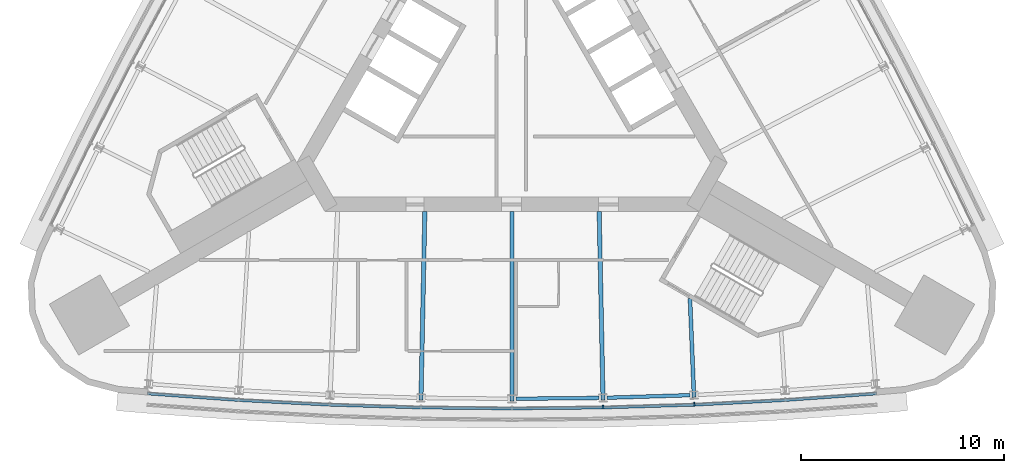
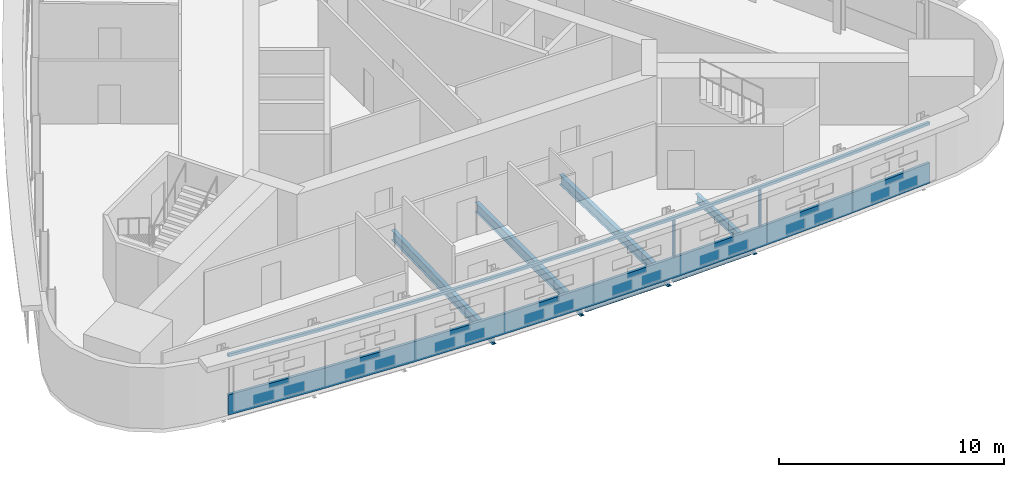
# One storey, part 3 of 13: 6 beams, 4 members, 1 element without a shape of its own.
"""IFC4 building model written with IfcOpenShell, lengths in metres."""

import ifcopenshell
import ifcopenshell.guid

model = None  # the IFC model being written
_history = None  # IfcOwnerHistory: only IFC2X3 demands one
_inside = {}  # id of a spatial element -> (the spatial element, [elements in it])
_under = {}  # id of a project, library or spatial element -> (it, [spatial elements below it])
_declared = {}  # id of a project -> (the project, [libraries it declares])
_typed = {}  # id of a type object -> (the type object, [elements of that type])
_made_of = {}  # id of a material, layer set ... -> (it, [elements and type objects made of it])


def new_model(schema):
    """Start an empty IFC model of exactly this schema.

    Asked for "IFC4X3", IfcOpenShell would pick the latest addendum, in which some entities
    have other attributes; the version numbers below select the first issue.
    IFC2X3 requires an IfcOwnerHistory on every rooted entity: one is made here for all.
    """
    global model, _history
    if schema == "IFC4X3":
        model = ifcopenshell.file(schema_version=(4, 3, 0, 0))
    else:
        model = ifcopenshell.file(schema=schema)
    _inside.clear()
    _under.clear()
    _declared.clear()
    _typed.clear()
    _made_of.clear()
    _history = None
    if model.schema == "IFC2X3":
        org = make("IfcOrganization", Name="unknown")
        user = make(
            "IfcPersonAndOrganization",
            ThePerson=make("IfcPerson", FamilyName="unknown"),
            TheOrganization=org,
        )
        app = make(
            "IfcApplication",
            ApplicationDeveloper=org,
            Version="unknown",
            ApplicationFullName="unknown",
            ApplicationIdentifier="unknown",
        )
        _history = make(
            "IfcOwnerHistory",
            OwningUser=user,
            OwningApplication=app,
            ChangeAction="ADDED",
            CreationDate=0,
        )
    return model


def make(cls, **values):
    """One entity of the class cls with the attributes given. An attribute that is None is left unset."""
    return model.create_entity(
        cls, **{name: value for name, value in values.items() if value is not None}
    )


def rooted(cls, **values):
    """An entity with a GlobalId (a new one), such as an element, a storey or a relation."""
    return make(cls, GlobalId=ifcopenshell.guid.new(), OwnerHistory=_history, **values)


def si_unit(unit_type, name, prefix=None):
    """IfcSIUnit, for example si_unit("LENGTHUNIT", "METRE", prefix="MILLI")."""
    return make("IfcSIUnit", UnitType=unit_type, Prefix=prefix, Name=name)


def assignment(units):
    """IfcUnitAssignment: the units of a project."""
    return None if units is None else make("IfcUnitAssignment", Units=units)


def point(xyz):
    """IfcCartesianPoint."""
    return None if xyz is None else make("IfcCartesianPoint", Coordinates=xyz)


def direction(xyz):
    """IfcDirection."""
    return None if xyz is None else make("IfcDirection", DirectionRatios=xyz)


def frame(location, z_axis=None, x_axis=None):
    """IfcAxis2Placement3D, a coordinate frame: its origin and axes. An axis left out is left unset."""
    return make(
        "IfcAxis2Placement3D",
        Location=point(location),
        Axis=direction(z_axis),
        RefDirection=direction(x_axis),
    )


def frame_2d(location, x_axis=None):
    """IfcAxis2Placement2D, a coordinate frame in the plane: its origin and x axis."""
    return make(
        "IfcAxis2Placement2D", Location=point(location), RefDirection=direction(x_axis)
    )


def origin():
    """The frame at (0, 0, 0) with its axes left unset."""
    return frame((0.0, 0.0, 0.0))


def origin_2d():
    """The frame at (0, 0) in the plane with its x axis left unset."""
    return frame_2d((0.0, 0.0))


def place(relative_to, where):
    """IfcLocalPlacement: puts the frame where relative to a parent placement (None: the world)."""
    return make(
        "IfcLocalPlacement", PlacementRelTo=relative_to, RelativePlacement=where
    )


def context(
    kind, dimensions, precision=None, world=None, true_north=None, identifier=None
):
    """IfcGeometricRepresentationContext, for example the 3D "Model" context."""
    return make(
        "IfcGeometricRepresentationContext",
        ContextIdentifier=identifier,
        ContextType=kind,
        CoordinateSpaceDimension=dimensions,
        Precision=precision,
        WorldCoordinateSystem=world,
        TrueNorth=true_north,
    )


def subcontext(parent, identifier, kind, view, scale=None):
    """IfcGeometricRepresentationSubContext, for example "Body" below "Model"."""
    return make(
        "IfcGeometricRepresentationSubContext",
        ContextIdentifier=identifier,
        ContextType=kind,
        ParentContext=parent,
        TargetScale=scale,
        TargetView=view,
    )


def project(units=None, contexts=None):
    """IfcProject with its units and contexts."""
    return rooted(
        "IfcProject",
        Name="project",
        RepresentationContexts=contexts,
        UnitsInContext=assignment(units),
    )


def spatial(cls, under=None, at=None, **own):
    """A site, building, storey or space (cls), placed at a placement, below another one or the project."""
    s = rooted(cls, ObjectPlacement=at, **own)
    if under is not None:
        _under.setdefault(under.id(), (under, []))[1].append(s)
    return s


def polyline(points):
    """IfcPolyline through the points."""
    return make("IfcPolyline", Points=[point(p) for p in points])


def profile(cls, at=None, kind="AREA", **sizes):
    """A parametric profile (cls). Its sizes go by their IFC names, for example OverallWidth=200.0."""
    return make(cls, ProfileType=kind, Position=at, **sizes)


def rectangle(**sizes):
    """IfcRectangleProfileDef."""
    return profile("IfcRectangleProfileDef", **sizes)


def i_section(**sizes):
    """IfcIShapeProfileDef."""
    return profile("IfcIShapeProfileDef", **sizes)


def outline(outer, holes=None, kind="AREA"):
    """IfcArbitraryClosedProfileDef: a profile drawn as a closed curve; with holes, ...WithVoids."""
    if holes is None:
        return make("IfcArbitraryClosedProfileDef", ProfileType=kind, OuterCurve=outer)
    return make(
        "IfcArbitraryProfileDefWithVoids",
        ProfileType=kind,
        OuterCurve=outer,
        InnerCurves=holes,
    )


def extrude(swept, where, along, depth):
    """IfcExtrudedAreaSolid: the profile swept, set in the frame where, extruded along a direction by depth."""
    return make(
        "IfcExtrudedAreaSolid",
        SweptArea=swept,
        Position=where,
        ExtrudedDirection=direction(along),
        Depth=depth,
    )


def shape(context_of_items, identifier, shape_type, items):
    """IfcShapeRepresentation: the items that make up one representation, for example the "Body"."""
    return make(
        "IfcShapeRepresentation",
        ContextOfItems=context_of_items,
        RepresentationIdentifier=identifier,
        RepresentationType=shape_type,
        Items=items,
    )


def material(Name=None, Category=None):
    """IfcMaterial."""
    return make("IfcMaterial", Name=Name, Category=Category)


def material_profile(
    of_material, cross_section, Name=None, Category=None, Priority=None
):
    """IfcMaterialProfile: a cross section and its material."""
    return make(
        "IfcMaterialProfile",
        Name=Name,
        Material=of_material,
        Profile=cross_section,
        Priority=Priority,
        Category=Category,
    )


def profile_set(profiles, Name=None, composite=None):
    """IfcMaterialProfileSet."""
    return make(
        "IfcMaterialProfileSet",
        Name=Name,
        MaterialProfiles=profiles,
        CompositeProfile=composite,
    )


def made_of(thing, what):
    """Note that an element or type object is made of a material, layer set ...; save() writes the relation."""
    if what is not None:
        _made_of.setdefault(what.id(), (what, []))[1].append(thing)
    return thing


def type_object(cls, material=None, **own):
    """A type object (cls), such as IfcWallType, which elements share."""
    return made_of(rooted(cls, **own), material)


def element(
    cls,
    number,
    at=None,
    inside=None,
    cuts=None,
    type_object=None,
    material=None,
    context=None,
    identifier="Body",
    shape_type=None,
    held_by="IfcProductDefinitionShape",
    body=None,
    shapes=None,
    **own,
):
    """One element of the class cls, such as IfcWall. Its Tag is "e" and its number.

    at: its placement. inside: the storey or other place that contains it. cuts: it is an
    opening in that element (IfcRelVoidsElement). A single representation is given by context,
    identifier, shape_type and body (its items); several are given by shapes. held_by: the class
    of the entity that holds the representations. save() writes the other relations.
    """
    e = rooted(cls, Tag="e%d" % number, ObjectPlacement=at, **own)
    if body is not None:
        shapes = [shape(context, identifier, shape_type, body)]
    if shapes is not None:
        e.Representation = make(held_by, Representations=shapes)
    if inside is not None:
        _inside.setdefault(inside.id(), (inside, []))[1].append(e)
    if cuts is not None:
        rooted(
            "IfcRelVoidsElement", RelatingBuildingElement=cuts, RelatedOpeningElement=e
        )
    if type_object is not None:
        _typed.setdefault(type_object.id(), (type_object, []))[1].append(e)
    return made_of(e, material)


def aggregate(whole, parts):
    """IfcRelAggregates: a whole, such as a stair, and the parts it consists of."""
    return rooted("IfcRelAggregates", RelatingObject=whole, RelatedObjects=parts)


def save(model, path):
    """Write the relations noted so far, then the file.

    IfcRelAggregates (storeys below a building ...), IfcRelContainedInSpatialStructure (elements
    in a storey), IfcRelDefinesByType, IfcRelAssociatesMaterial and IfcRelDeclares: one each for
    every whole, place, type object, material and project.
    """
    for whole, parts in _under.values():
        aggregate(whole, parts)
    for where, things in _inside.values():
        rooted(
            "IfcRelContainedInSpatialStructure",
            RelatedElements=things,
            RelatingStructure=where,
        )
    for kind, things in _typed.values():
        rooted("IfcRelDefinesByType", RelatedObjects=things, RelatingType=kind)
    for what, things in _made_of.values():
        rooted("IfcRelAssociatesMaterial", RelatedObjects=things, RelatingMaterial=what)
    for by, libraries in _declared.values():
        rooted("IfcRelDeclares", RelatingContext=by, RelatedDefinitions=libraries)
    model.write(path)


model = new_model("IFC4")

# Units and contexts
model_context = context("Model", 3, precision=1e-05, world=origin(), true_north=direction((0.0, 1.0)))
body_context = subcontext(model_context, "Body", "Model", "MODEL_VIEW")
ifc_project = project(units=[si_unit("LENGTHUNIT", "METRE"), si_unit("AREAUNIT", "SQUARE_METRE"), si_unit("VOLUMEUNIT", "CUBIC_METRE"), si_unit("PLANEANGLEUNIT", "RADIAN"), si_unit("MASSUNIT", "GRAM", prefix="KILO")], contexts=[model_context])

# Site, building, storey
site_placement = place(None, origin())
site = spatial("IfcSite", under=ifc_project, at=site_placement, CompositionType="ELEMENT")
building_placement = place(site_placement, origin())
building = spatial("IfcBuilding", under=site, at=building_placement, Name="Noor Cloister Tower", CompositionType="ELEMENT")
storey_placement = place(building_placement, frame((0.0, 0.0, 143.699951171875)))
storey = spatial("IfcBuildingStorey", under=building, at=storey_placement, Name="L36", CompositionType="ELEMENT", Elevation=143.699951171875)

# Curtain wall, members
ifc_material_1 = material(Name="Aluminium 6063-T6 anodised", Category="aluminium")
curtain_wall_type = type_object("IfcCurtainWallType", Name="Ribbon curtain wall, upper tower CW5", PredefinedType="NOTDEFINED", material=ifc_material_1)
curtain_wall_placement = place(storey_placement, origin())
curtain_wall = element("IfcCurtainWall", 1, at=curtain_wall_placement, inside=storey, type_object=curtain_wall_type, Name="CW5 L36 S run 2", PredefinedType="NOTDEFINED")
ifc_material_2 = material(Name="Aluminium 6063-T6 anodised", Category="aluminium")
member_type_1 = type_object("IfcMemberType", Name="Head transom CW5 150", PredefinedType="USERDEFINED", material=ifc_material_2)
member_1_placement = place(storey_placement, frame((0.0, 0.0, 3.150146484375)))
member_1 = element("IfcMember", 2, at=member_1_placement, type_object=member_type_1, Name="CW5 head transom", ObjectType="TRANSOM", PredefinedType="USERDEFINED", context=body_context, shape_type="SweptSolid", body=[
    extrude(outline(polyline([(-17.979736328125, -15.98486328125), (-13.491455078125, -16.307373046875), (-8.99755859375, -16.5380859375), (-4.499755859375, -16.67626953125), (0.0, -16.722412109375), (4.499755859375, -16.67626953125), (8.99755859375, -16.5380859375), (13.491455078125, -16.307373046875), (17.979736328125, -15.98486328125), (17.9697265625, -15.84521484375), (13.48291015625, -16.167724609375), (8.99169921875, -16.398193359375), (4.496826171875, -16.536376953125), (0.0, -16.58251953125), (-4.496826171875, -16.536376953125), (-8.99169921875, -16.398193359375), (-13.48291015625, -16.167724609375), (-17.9697265625, -15.84521484375), (-17.979736328125, -15.98486328125)])), origin(), (0.0, 0.0, 1.0), 0.14990234375),
])
ifc_material_3 = material(Name="Aluminium 6063-T6 anodised", Category="aluminium")
ifc_material_profile_1 = material_profile(ifc_material_3, rectangle(XDim=0.179931640625, YDim=0.070068359375, at=origin_2d()), Name="180 x 70 mullion")
ifc_profile_set_1 = profile_set([ifc_material_profile_1], Name="Aluminium 6063-T6 anodised")
member_type_2 = type_object("IfcMemberType", Name="Mullion CW5 70 x 180", PredefinedType="MULLION", material=ifc_profile_set_1)
member_2_placement = place(storey_placement, frame((4.49755859375, -16.576416015625, 1.10009765625), z_axis=(0.0, 0.0, 1.0), x_axis=(-0.020501958477, 0.99978981276, 0.0)))
member_2 = element("IfcMember", 3, at=member_2_placement, type_object=member_type_2, Name="CW5 mullion 6", PredefinedType="MULLION", context=body_context, shape_type="SweptSolid", body=[
    extrude(rectangle(XDim=0.179931640625, YDim=0.070068359375, at=origin_2d()), origin(), (0.0, 0.0, 1.0), 2.050048828125),
])
member_3_placement = place(storey_placement, frame((8.993408203125, -16.43798828125, 1.10009765625), z_axis=(0.0, 0.0, 1.0), x_axis=(-0.040995281015, 0.999159340113, 0.0)))
member_3 = element("IfcMember", 4, at=member_3_placement, type_object=member_type_2, Name="CW5 mullion 7", PredefinedType="MULLION", context=body_context, shape_type="SweptSolid", body=[
    extrude(rectangle(XDim=0.179931640625, YDim=0.070068359375, at=origin_2d()), origin(), (0.0, 0.0, 1.0), 2.050048828125),
])

# Beams
ifc_material_4 = material(Name="Steel ASTM A992 Gr 50", Category="steel")
ifc_material_profile_2 = material_profile(ifc_material_4, i_section(OverallWidth=0.19091796875, OverallDepth=0.45703125, WebThickness=0.009033203125, FlangeThickness=0.014404296875, FilletRadius=0.01025390625, at=origin_2d()), Name="W460x74")
ifc_profile_set_2 = profile_set([ifc_material_profile_2], Name="Steel ASTM A992 Gr 50")
beam_type_1 = type_object("IfcBeamType", Name="Radial beam W460x74", PredefinedType="BEAM", material=ifc_profile_set_2)
beam_1_placement = place(storey_placement, frame((8.979248046875, -16.095458984375, -0.428466796875), z_axis=(-0.040961128267, 0.999160740808, 0.0), x_axis=(-0.999160740808, -0.040961128267, 0.0)))
element("IfcBeam", 5, at=beam_1_placement, inside=storey, type_object=beam_type_1, Name="Radial beam S 07 L36", PredefinedType="BEAM", context=body_context, shape_type="SweptSolid", body=[
    extrude(i_section(OverallWidth=0.19091796875, OverallDepth=0.45703125, WebThickness=0.009033203125, FlangeThickness=0.014404296875, FilletRadius=0.01025390625, at=origin_2d()), origin(), (0.0, 0.0, 1.0), 4.86962890625),
])
ifc_material_5 = material(Name="Steel ASTM A992 Gr 50", Category="steel")
ifc_material_profile_3 = material_profile(ifc_material_5, i_section(OverallWidth=0.208984375, OverallDepth=0.532958984375, WebThickness=0.01025390625, FlangeThickness=0.015625, FilletRadius=0.0126953125, at=origin_2d()), Name="W530x92")
ifc_profile_set_3 = profile_set([ifc_material_profile_3], Name="Steel ASTM A992 Gr 50")
beam_type_2 = type_object("IfcBeamType", Name="Radial beam W530x92", PredefinedType="BEAM", material=ifc_profile_set_3)
beam_2_placement = place(storey_placement, frame((-4.49072265625, -16.2333984375, -0.466552734375), z_axis=(0.020513078009, 0.999789584678, 0.0), x_axis=(-0.999789584678, 0.020513078009, 0.0)))
element("IfcBeam", 6, at=beam_2_placement, inside=storey, type_object=beam_type_2, Name="Radial beam S 04 L36", PredefinedType="BEAM", context=body_context, shape_type="SweptSolid", body=[
    extrude(i_section(OverallWidth=0.208984375, OverallDepth=0.532958984375, WebThickness=0.01025390625, FlangeThickness=0.015625, FilletRadius=0.0126953125, at=origin_2d()), origin(), (0.0, 0.0, 1.0), 9.30712890625),
])
beam_3_placement = place(storey_placement, frame((0.0, -16.279541015625, -0.466552734375), z_axis=(0.0, 1.0, 0.0), x_axis=(-1.0, 0.0, 0.0)))
element("IfcBeam", 7, at=beam_3_placement, inside=storey, type_object=beam_type_2, Name="Radial beam S 05 L36", PredefinedType="BEAM", context=body_context, shape_type="SweptSolid", body=[
    extrude(i_section(OverallWidth=0.208984375, OverallDepth=0.532958984375, WebThickness=0.01025390625, FlangeThickness=0.015625, FilletRadius=0.0126953125, at=origin_2d()), origin(), (0.0, 0.0, 1.0), 9.351318359375),
])
beam_4_placement = place(storey_placement, frame((4.49072265625, -16.2333984375, -0.466552734375), z_axis=(-0.020513078009, 0.999789584678, 0.0), x_axis=(-0.999789584678, -0.020513078009, 0.0)))
element("IfcBeam", 8, at=beam_4_placement, inside=storey, type_object=beam_type_2, Name="Radial beam S 06 L36", PredefinedType="BEAM", context=body_context, shape_type="SweptSolid", body=[
    extrude(i_section(OverallWidth=0.208984375, OverallDepth=0.532958984375, WebThickness=0.01025390625, FlangeThickness=0.015625, FilletRadius=0.0126953125, at=origin_2d()), origin(), (0.0, 0.0, 1.0), 9.30712890625),
])

# Member
ifc_material_6 = material(Name="Aluminium 6063-T6 anodised", Category="aluminium")
member_type_3 = type_object("IfcMemberType", Name="Sill transom CW5 1100", PredefinedType="USERDEFINED", material=ifc_material_6)
member_4_placement = place(storey_placement, origin())
member_4 = element("IfcMember", 9, at=member_4_placement, type_object=member_type_3, Name="CW5 sill transom", ObjectType="TRANSOM", PredefinedType="USERDEFINED", context=body_context, shape_type="SweptSolid", body=[
    extrude(outline(polyline([(-17.979736328125, -15.98486328125), (-13.491455078125, -16.307373046875), (-8.99755859375, -16.5380859375), (-4.499755859375, -16.67626953125), (0.0, -16.722412109375), (4.499755859375, -16.67626953125), (8.99755859375, -16.5380859375), (13.491455078125, -16.307373046875), (17.979736328125, -15.98486328125), (17.9697265625, -15.84521484375), (13.48291015625, -16.167724609375), (8.99169921875, -16.398193359375), (4.496826171875, -16.536376953125), (0.0, -16.58251953125), (-4.496826171875, -16.536376953125), (-8.99169921875, -16.398193359375), (-13.48291015625, -16.167724609375), (-17.9697265625, -15.84521484375), (-17.979736328125, -15.98486328125)])), origin(), (0.0, 0.0, 1.0), 1.10009765625),
])

aggregate(curtain_wall, [member_2, member_3, member_4, member_1])

# Beams
ifc_material_7 = material(Name="Steel ASTM A992 Gr 50", Category="steel")
ifc_material_profile_4 = material_profile(ifc_material_7, i_section(OverallWidth=0.177978515625, OverallDepth=0.406005859375, WebThickness=0.0078125, FlangeThickness=0.0126953125, FilletRadius=0.01025390625, at=origin_2d()), Name="W410x60")
ifc_profile_set_4 = profile_set([ifc_material_profile_4], Name="Steel ASTM A992 Gr 50")
beam_type_3 = type_object("IfcBeamType", Name="Spandrel beam W410x60", PredefinedType="SPANDREL", material=ifc_profile_set_4)
beam_5_placement = place(storey_placement, frame((0.199462890625, -16.17041015625, -0.40283203125), z_axis=(0.99994789269, 0.010208423263, 0.0), x_axis=(-0.010208423263, 0.99994789269, 0.0)))
element("IfcBeam", 10, at=beam_5_placement, inside=storey, type_object=beam_type_3, Name="Spandrel beam S 05 L36", PredefinedType="SPANDREL", context=body_context, shape_type="SweptSolid", body=[
    extrude(i_section(OverallWidth=0.177978515625, OverallDepth=0.406005859375, WebThickness=0.0078125, FlangeThickness=0.0126953125, FilletRadius=0.01025390625, at=origin_2d()), origin(), (0.0, 0.0, 1.0), 4.089599609375),
])
beam_6_placement = place(storey_placement, frame((4.687744140625, -16.120361328125, -0.40283203125), z_axis=(0.99952733001, 0.030742748146, 0.0), x_axis=(-0.030742748146, 0.99952733001, 0.0)))
element("IfcBeam", 11, at=beam_6_placement, inside=storey, type_object=beam_type_3, Name="Spandrel beam S 06 L36", PredefinedType="SPANDREL", context=body_context, shape_type="SweptSolid", body=[
    extrude(i_section(OverallWidth=0.177978515625, OverallDepth=0.406005859375, WebThickness=0.0078125, FlangeThickness=0.0126953125, FilletRadius=0.01025390625, at=origin_2d()), origin(), (0.0, 0.0, 1.0), 4.08984375),
])

save(model, "model.ifc")
